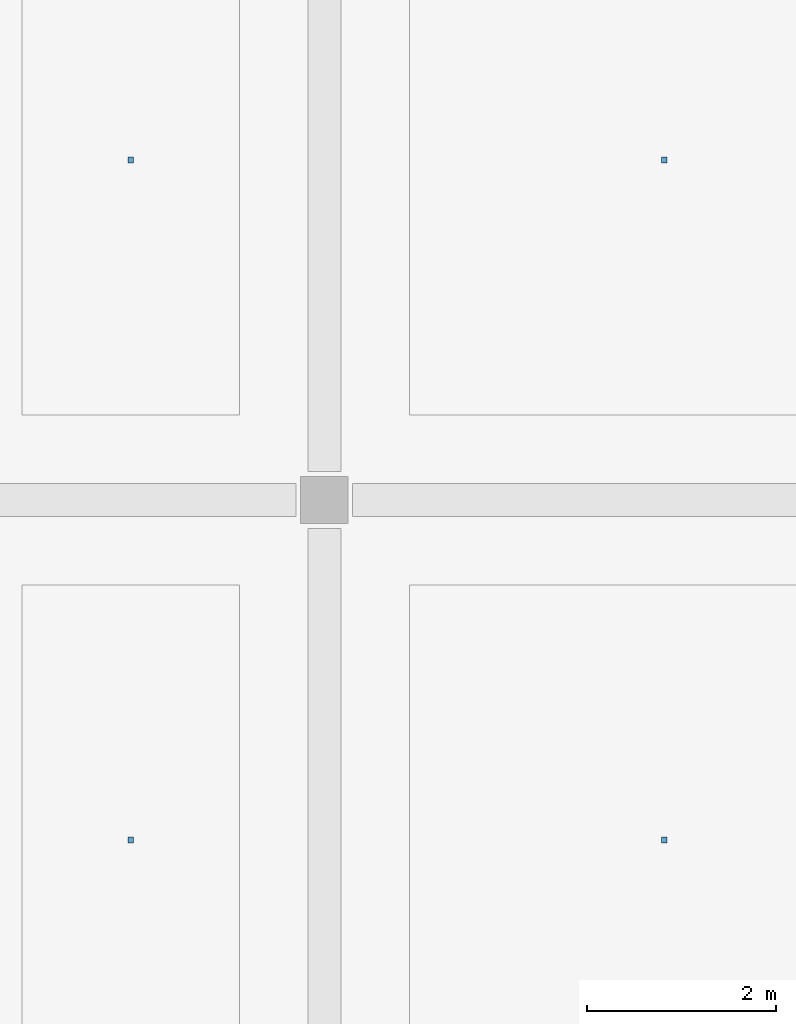
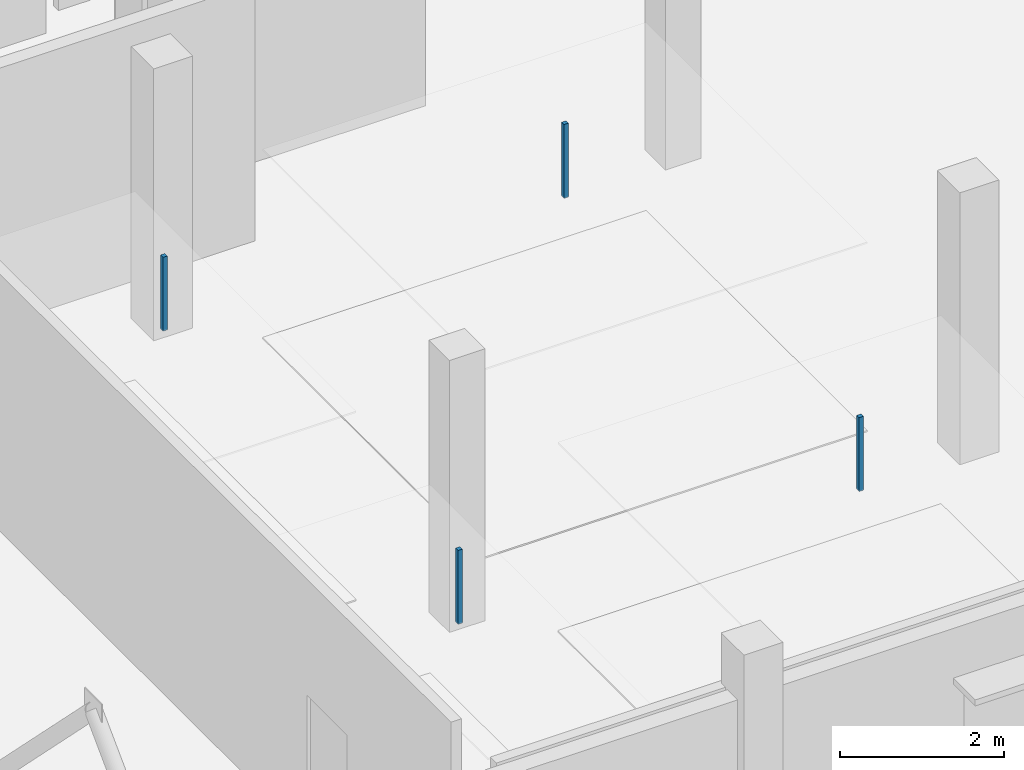
# One storey, part 23 of 26: 4 discrete accessories.
"""IFC4 building model written with IfcOpenShell, lengths in metres."""

from ifc_helpers import new_model, si_unit, direction, frame, origin, origin_2d, place, context, subcontext, project, spatial, rectangle, extrude, material, type_object, element, save


model = new_model("IFC4")

# Units and contexts
model_context = context("Model", 3, precision=1e-05, world=origin(), true_north=direction((0.0, 1.0)))
body_context = subcontext(model_context, "Body", "Model", "MODEL_VIEW")
ifc_project = project(units=[si_unit("LENGTHUNIT", "METRE"), si_unit("AREAUNIT", "SQUARE_METRE"), si_unit("VOLUMEUNIT", "CUBIC_METRE"), si_unit("PLANEANGLEUNIT", "RADIAN"), si_unit("MASSUNIT", "GRAM", prefix="KILO")], contexts=[model_context])

# Site, building, storey
site_placement = place(None, origin())
site = spatial("IfcSite", under=ifc_project, at=site_placement, CompositionType="ELEMENT")
building_placement = place(site_placement, origin())
building = spatial("IfcBuilding", under=site, at=building_placement, Name="Kangsadwip Square Police Headquarters", CompositionType="ELEMENT")
storey_placement = place(building_placement, frame((0.0, 0.0, 25.64990234375)))
storey = spatial("IfcBuildingStorey", under=building, at=storey_placement, Name="L06", CompositionType="ELEMENT", Elevation=25.64990234375)

# Discrete accessories
ifc_material = material(Name="Structural steel IS 2062 E350 (Grade 350, 350 MPa)", Category="steel")
discrete_accessory_type = type_object("IfcDiscreteAccessoryType", Name="VeilOutriggerBracket", PredefinedType="BRACKET", material=ifc_material)
for number, where, z_axis, x_axis, name in (
    (1, (149.14990234375, 39.60009765625, 2.81005859375), (0.0, 0.0, 1.0), (1.0, 0.0, 0.0), "Ceiling Suspension Hanger L06-156"),
    (2, (154.800048828125, 39.60009765625, 2.81005859375), (0.0, 0.0, 1.0), (1.0, 0.0, 0.0), "Ceiling Suspension Hanger L06-157"),
    (3, (149.14990234375, 46.800048828125, 2.81005859375), (0.0, 0.0, 1.0), (1.0, 0.0, 0.0), "Ceiling Suspension Hanger L06-158"),
    (4, (154.800048828125, 46.800048828125, 2.81005859375), (0.0, 0.0, 1.0), (1.0, 0.0, 0.0), "Ceiling Suspension Hanger L06-159"),
):
    element("IfcDiscreteAccessory", number, at=place(storey_placement, frame(where, z_axis=z_axis, x_axis=x_axis)), inside=storey, type_object=discrete_accessory_type, Name=name, PredefinedType="BRACKET", context=body_context, shape_type="SweptSolid", body=[
        extrude(rectangle(XDim=0.06005859375, YDim=0.06005859375, at=origin_2d()), origin(), (0.0, 0.0, 1.0), 1.10009765625),
    ])

save(model, "model.ifc")
